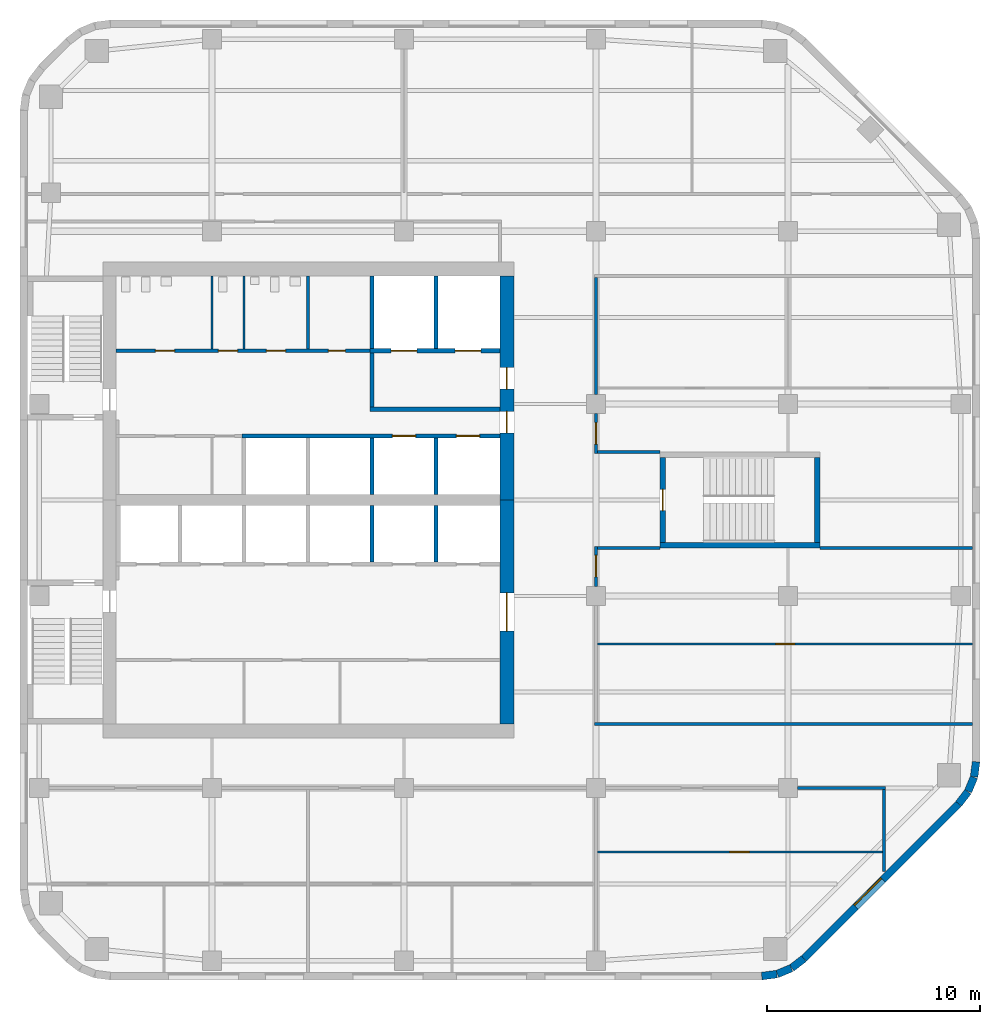
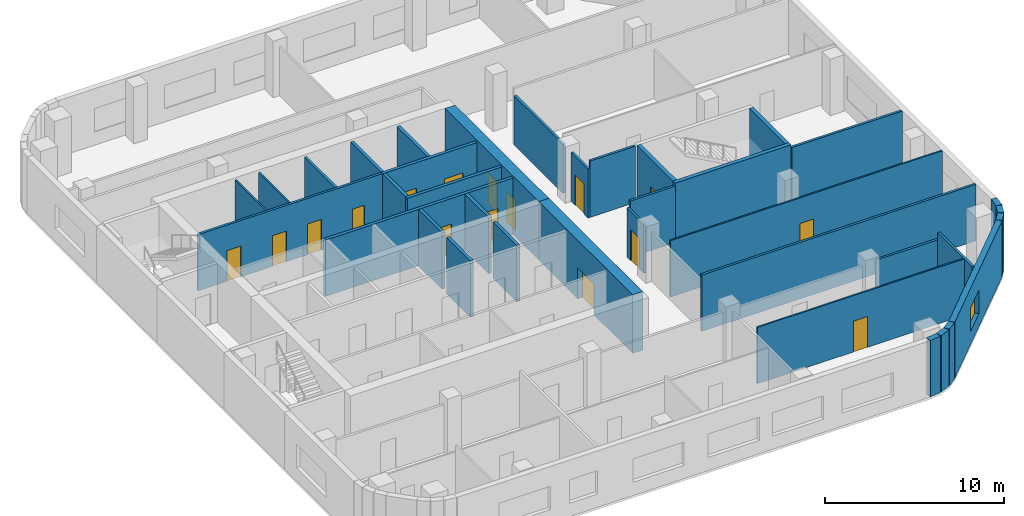
# One storey, part 4 of 8: 37 walls, 16 doors, 1 window, 17 openings.
"""IFC4 building model written with IfcOpenShell, lengths in metres."""

from ifc_helpers import new_model, si_unit, direction, frame, frame_2d, origin, place, context, subcontext, project, spatial, rectangle, extrude, material, layer, layer_set, type_object, element, fill, save


model = new_model("IFC4")

# Units and contexts
model_context = context("Model", 3, precision=1e-05, world=origin(), true_north=direction((0.0, 1.0)))
body_context = subcontext(model_context, "Body", "Model", "MODEL_VIEW")
ifc_project = project(units=[si_unit("LENGTHUNIT", "METRE"), si_unit("AREAUNIT", "SQUARE_METRE"), si_unit("VOLUMEUNIT", "CUBIC_METRE"), si_unit("PLANEANGLEUNIT", "RADIAN"), si_unit("MASSUNIT", "GRAM", prefix="KILO")], contexts=[model_context])

# Site, building, storey
site_placement = place(None, origin())
site = spatial("IfcSite", under=ifc_project, at=site_placement, CompositionType="ELEMENT")
building_placement = place(site_placement, origin())
building = spatial("IfcBuilding", under=site, at=building_placement, Name="Cinnabar Reach Civic Tower", CompositionType="ELEMENT")
storey_placement = place(building_placement, frame((0.0, 0.0, 177.0)))
storey = spatial("IfcBuildingStorey", under=building, at=storey_placement, Name="L42", CompositionType="ELEMENT", Elevation=177.0)

# Walls
ifc_material_1 = material(Name="Facing brick with insulated backing", Category="masonry")
ifc_layer_1 = layer(ifc_material_1, 0.36)
ifc_layer_set_1 = layer_set([ifc_layer_1], Name="Brick corner wall")
wall_type_1 = type_object("IfcWallType", Name="Brick corner wall", PredefinedType="STANDARD", material=ifc_layer_set_1)
for number, where, z_axis, x_axis, name in (
    (1, (34.7686, 9.183, 0.0), (0.0, 0.0, 1.0), (0.99144092581, 0.13055608231, 0.0), "Brick corner wall"),
    (2, (35.4973, 9.2819, 0.0), (0.0, 0.0, 1.0), (0.923871547278, 0.382702709855, 0.0), "Brick corner wall"),
):
    element("IfcWall", number, at=place(storey_placement, frame(where, z_axis=z_axis, x_axis=x_axis)), inside=storey, type_object=wall_type_1, Name=name, PredefinedType="STANDARD", context=body_context, shape_type="SweptSolid", body=[
        extrude(rectangle(XDim=0.7131, YDim=0.36, at=frame_2d((0.3565, 0.0))), origin(), (0.0, 0.0, 1.0), 3.85),
    ])
for number, where, z_axis, x_axis, name in (
    (3, (36.1755, 9.566, 0.0), (0.0, 0.0, 1.0), (0.793321924995, 0.608802368033, 0.0), "Brick corner wall"),
    (4, (43.9998, 17.2587, 0.0), (0.0, 0.0, 1.0), (0.608802368033, 0.793321924995, 0.0), "Brick corner wall"),
):
    element("IfcWall", number, at=place(storey_placement, frame(where, z_axis=z_axis, x_axis=x_axis)), inside=storey, type_object=wall_type_1, Name=name, PredefinedType="STANDARD", context=body_context, shape_type="SweptSolid", body=[
        extrude(rectangle(XDim=0.7132, YDim=0.36, at=frame_2d((0.3566, 0.0))), origin(), (0.0, 0.0, 1.0), 3.85),
    ])
for number, where, z_axis, x_axis, name in (
    (5, (44.4452, 17.8439, 0.0), (0.0, 0.0, 1.0), (0.382702709855, 0.923871547278, 0.0), "Brick corner wall"),
    (6, (44.7239, 18.5244, 0.0), (0.0, 0.0, 1.0), (0.13055608231, 0.99144092581, 0.0), "Brick corner wall"),
):
    element("IfcWall", number, at=place(storey_placement, frame(where, z_axis=z_axis, x_axis=x_axis)), inside=storey, type_object=wall_type_1, Name=name, PredefinedType="STANDARD", context=body_context, shape_type="SweptSolid", body=[
        extrude(rectangle(XDim=0.7131, YDim=0.36, at=frame_2d((0.3565, 0.0))), origin(), (0.0, 0.0, 1.0), 3.85),
    ])

# Wall, opening, window
ifc_layer_2 = layer(ifc_material_1, 0.36)
ifc_layer_set_2 = layer_set([ifc_layer_2], Name="Brick pier and spandrel wall")
wall_type_2 = type_object("IfcWallType", Name="Brick pier and spandrel wall", PredefinedType="STANDARD", material=ifc_layer_set_2)
wall_1_placement = place(storey_placement, frame((36.7514, 10.006, 0.0), z_axis=(0.0, 0.0, 1.0), x_axis=(0.707106781187, 0.707106781187, 0.0)))
wall_1 = element("IfcWall", 7, at=wall_1_placement, inside=storey, type_object=wall_type_2, Name="Brick facade wall", PredefinedType="STANDARD", context=body_context, shape_type="SweptSolid", body=[
    extrude(rectangle(XDim=10.2426, YDim=0.36, at=frame_2d((5.1213, 0.0))), origin(), (0.0, 0.0, 1.0), 3.85),
])
opening_1_placement = place(wall_1_placement, frame((3.4213, 0.0, 0.9)))
opening_1 = element("IfcOpeningElement", 8, at=opening_1_placement, cuts=wall_1, Name="Opening W1867", PredefinedType="OPENING", context=body_context, shape_type="SweptSolid", body=[
    extrude(rectangle(XDim=1.8, YDim=1.6, at=frame_2d((0.9, 0.8))), frame((0.0, 0.19, 0.0), z_axis=(0.0, -1.0, 0.0), x_axis=(1.0, 0.0, 0.0)), (0.0, 0.0, 1.0), 0.38),
])
ifc_material_2 = material(Name="Clear double glazing in aluminium frame", Category="aluminium")
window_type = type_object("IfcWindowType", Name="Deep-set window D", PartitioningType="SINGLE_PANEL", PredefinedType="WINDOW", material=ifc_material_2)
window_placement = place(opening_1_placement, origin())
window = element("IfcWindow", 9, at=window_placement, inside=storey, type_object=window_type, Name="Window southeast face", OverallHeight=1.6, OverallWidth=1.8, PartitioningType="SINGLE_PANEL", PredefinedType="WINDOW", context=body_context, shape_type="SweptSolid", body=[
    extrude(rectangle(XDim=1.8, YDim=1.6, at=frame_2d((0.9, 0.8))), frame((0.0, 0.13, 0.0), z_axis=(0.0, -1.0, 0.0), x_axis=(1.0, 0.0, 0.0)), (0.0, 0.0, 1.0), 0.06),
])
fill(opening_1, window)

# Wall, opening, door
ifc_material_3 = material(Name="Concrete C70", Category="concrete")
ifc_layer_3 = layer(ifc_material_3, 0.65)
ifc_layer_set_3 = layer_set([ifc_layer_3], Name="Core wall 650 EI 180")
wall_type_3 = type_object("IfcWallType", Name="Core wall 650 EI 180", PredefinedType="SOLIDWALL", material=ifc_layer_set_3)
wall_2_placement = place(storey_placement, frame((22.825, 21.0, 0.0), z_axis=(0.0, 0.0, 1.0), x_axis=(0.0, 1.0, 0.0)))
wall_2 = element("IfcWall", 10, at=wall_2_placement, inside=storey, type_object=wall_type_3, Name="Core wall T1 L42 E", PredefinedType="SOLIDWALL", context=body_context, shape_type="SweptSolid", body=[
    extrude(rectangle(XDim=10.5, YDim=0.65, at=frame_2d((5.25, 0.0))), origin(), (0.0, 0.0, 1.0), 4.0),
])
opening_2_placement = place(wall_2_placement, frame((4.35, 0.0, 0.0)))
opening_2 = element("IfcOpeningElement", 11, at=opening_2_placement, cuts=wall_2, Name="Opening D4722", PredefinedType="OPENING", context=body_context, shape_type="SweptSolid", body=[
    extrude(rectangle(XDim=1.8, YDim=2.1, at=frame_2d((0.9, 1.05))), frame((0.0, 0.335, 0.0), z_axis=(0.0, -1.0, 0.0), x_axis=(1.0, 0.0, 0.0)), (0.0, 0.0, 1.0), 0.67),
])
ifc_material_4 = material(Name="Timber door leaf in steel frame", Category="steel")
door_type_1 = type_object("IfcDoorType", Name="Double swing door 1800 x 2100 T1", OperationType="DOUBLE_DOOR_DOUBLE_SWING", PredefinedType="DOOR", material=ifc_material_4)
door_1_placement = place(opening_2_placement, origin())
door_1 = element("IfcDoor", 12, at=door_1_placement, inside=storey, type_object=door_type_1, Name="Door D4722", OperationType="DOUBLE_DOOR_DOUBLE_SWING", OverallHeight=2.1, OverallWidth=1.8, PredefinedType="DOOR", context=body_context, shape_type="SweptSolid", body=[
    extrude(rectangle(XDim=1.8, YDim=2.1, at=frame_2d((0.9, 1.05))), frame((0.0, 0.025, 0.0), z_axis=(0.0, -1.0, 0.0), x_axis=(1.0, 0.0, 0.0)), (0.0, 0.0, 1.0), 0.05),
])
fill(opening_2, door_1)

# Wall, openings, doors
wall_3_placement = place(storey_placement, frame((22.825, 31.5, 0.0), z_axis=(0.0, 0.0, 1.0), x_axis=(0.0, 1.0, 0.0)))
wall_3 = element("IfcWall", 13, at=wall_3_placement, inside=storey, type_object=wall_type_3, Name="Core wall T1 L42 E2", PredefinedType="SOLIDWALL", context=body_context, shape_type="SweptSolid", body=[
    extrude(rectangle(XDim=10.5, YDim=0.65, at=frame_2d((5.25, 0.0))), origin(), (0.0, 0.0, 1.0), 4.0),
])
opening_3_placement = place(wall_3_placement, frame((3.15, 0.0, 0.0)))
opening_3 = element("IfcOpeningElement", 14, at=opening_3_placement, cuts=wall_3, Name="Opening D4723", PredefinedType="OPENING", context=body_context, shape_type="SweptSolid", body=[
    extrude(rectangle(XDim=1.0, YDim=2.1, at=frame_2d((0.5, 1.05))), frame((0.0, 0.335, 0.0), z_axis=(0.0, -1.0, 0.0), x_axis=(1.0, 0.0, 0.0)), (0.0, 0.0, 1.0), 0.67),
])
opening_4_placement = place(wall_3_placement, frame((5.2, 0.0, 0.0)))
opening_4 = element("IfcOpeningElement", 15, at=opening_4_placement, cuts=wall_3, Name="Opening D4724", PredefinedType="OPENING", context=body_context, shape_type="SweptSolid", body=[
    extrude(rectangle(XDim=1.0, YDim=2.1, at=frame_2d((0.5, 1.05))), frame((0.0, 0.335, 0.0), z_axis=(0.0, -1.0, 0.0), x_axis=(1.0, 0.0, 0.0)), (0.0, 0.0, 1.0), 0.67),
])
door_type_2 = type_object("IfcDoorType", Name="Firefighting lobby door 1000 x 2100 T1", OperationType="SINGLE_SWING_LEFT", PredefinedType="DOOR", material=ifc_material_4)
door_2_placement = place(opening_4_placement, origin())
door_2 = element("IfcDoor", 16, at=door_2_placement, inside=storey, type_object=door_type_2, Name="Door D4724", OperationType="SINGLE_SWING_RIGHT", OverallHeight=2.1, OverallWidth=1.0, PredefinedType="DOOR", context=body_context, shape_type="SweptSolid", body=[
    extrude(rectangle(XDim=1.0, YDim=2.1, at=frame_2d((0.5, 1.05))), frame((0.0, 0.025, 0.0), z_axis=(0.0, -1.0, 0.0), x_axis=(1.0, 0.0, 0.0)), (0.0, 0.0, 1.0), 0.05),
])
fill(opening_4, door_2)
door_type_3 = type_object("IfcDoorType", Name="Single swing door 1000 x 2100 T1", OperationType="SINGLE_SWING_LEFT", PredefinedType="DOOR", material=ifc_material_4)
door_3_placement = place(opening_3_placement, origin())
door_3 = element("IfcDoor", 17, at=door_3_placement, inside=storey, type_object=door_type_3, Name="Door D4723", OperationType="SINGLE_SWING_RIGHT", OverallHeight=2.1, OverallWidth=1.0, PredefinedType="DOOR", context=body_context, shape_type="SweptSolid", body=[
    extrude(rectangle(XDim=1.0, YDim=2.1, at=frame_2d((0.5, 1.05))), frame((0.0, 0.025, 0.0), z_axis=(0.0, -1.0, 0.0), x_axis=(1.0, 0.0, 0.0)), (0.0, 0.0, 1.0), 0.05),
])
fill(opening_3, door_3)

# Walls
ifc_material_5 = material(Name="Gypsum board on steel studs, double layer", Category="steel")
ifc_layer_4 = layer(ifc_material_5, 0.15)
ifc_layer_set_4 = layer_set([ifc_layer_4], Name="Corridor wall 150 T1")
wall_type_4 = type_object("IfcWallType", Name="Corridor wall 150 T1", PredefinedType="PARTITIONING", material=ifc_layer_set_4)
wall_4_placement = place(storey_placement, frame((36.45, 18.0, 0.0), z_axis=(0.0, 0.0, 1.0), x_axis=(1.0, 0.0, 0.0)))
element("IfcWall", 18, at=wall_4_placement, inside=storey, type_object=wall_type_4, Name="Corridor wall 24", PredefinedType="PARTITIONING", context=body_context, shape_type="SweptSolid", body=[
    extrude(rectangle(XDim=4.1249, YDim=0.15, at=frame_2d((2.0625, 0.0))), origin(), (0.0, 0.0, 1.0), 3.35),
])
wall_5_placement = place(storey_placement, frame((26.925, 21.0, 0.0), z_axis=(0.0, 0.0, 1.0), x_axis=(1.0, 0.0, 0.0)))
element("IfcWall", 19, at=wall_5_placement, inside=storey, type_object=wall_type_4, Name="Corridor wall 27", PredefinedType="PARTITIONING", context=body_context, shape_type="SweptSolid", body=[
    extrude(rectangle(XDim=17.715, YDim=0.15, at=frame_2d((8.8575, 0.0))), origin(), (0.0, 0.0, 1.0), 3.85),
])

# Wall, openings, doors
wall_6_placement = place(storey_placement, frame((4.5, 38.5, 0.0), z_axis=(0.0, 0.0, 1.0), x_axis=(1.0, 0.0, 0.0)))
wall_6 = element("IfcWall", 20, at=wall_6_placement, inside=storey, type_object=wall_type_4, Name="Corridor wall 29", PredefinedType="PARTITIONING", context=body_context, shape_type="SweptSolid", body=[
    extrude(rectangle(XDim=11.9, YDim=0.15, at=frame_2d((5.95, 0.0))), origin(), (0.0, 0.0, 1.0), 3.85),
])
opening_5_placement = place(wall_6_placement, frame((1.85, 0.0, 0.0)))
opening_5 = element("IfcOpeningElement", 21, at=opening_5_placement, cuts=wall_6, Name="Opening D4731", PredefinedType="OPENING", context=body_context, shape_type="SweptSolid", body=[
    extrude(rectangle(XDim=0.9, YDim=2.1, at=frame_2d((0.45, 1.05))), frame((0.0, 0.085, 0.0), z_axis=(0.0, -1.0, 0.0), x_axis=(1.0, 0.0, 0.0)), (0.0, 0.0, 1.0), 0.17),
])
opening_6_placement = place(wall_6_placement, frame((4.8, 0.0, 0.0)))
opening_6 = element("IfcOpeningElement", 22, at=opening_6_placement, cuts=wall_6, Name="Opening D4732", PredefinedType="OPENING", context=body_context, shape_type="SweptSolid", body=[
    extrude(rectangle(XDim=0.9, YDim=2.1, at=frame_2d((0.45, 1.05))), frame((0.0, 0.085, 0.0), z_axis=(0.0, -1.0, 0.0), x_axis=(1.0, 0.0, 0.0)), (0.0, 0.0, 1.0), 0.17),
])
opening_7_placement = place(wall_6_placement, frame((7.05, 0.0, 0.0)))
opening_7 = element("IfcOpeningElement", 23, at=opening_7_placement, cuts=wall_6, Name="Opening D4733", PredefinedType="OPENING", context=body_context, shape_type="SweptSolid", body=[
    extrude(rectangle(XDim=0.9, YDim=2.1, at=frame_2d((0.45, 1.05))), frame((0.0, 0.085, 0.0), z_axis=(0.0, -1.0, 0.0), x_axis=(1.0, 0.0, 0.0)), (0.0, 0.0, 1.0), 0.17),
])
opening_8_placement = place(wall_6_placement, frame((9.95, 0.0, 0.0)))
opening_8 = element("IfcOpeningElement", 24, at=opening_8_placement, cuts=wall_6, Name="Opening D4734", PredefinedType="OPENING", context=body_context, shape_type="SweptSolid", body=[
    extrude(rectangle(XDim=0.8, YDim=2.1, at=frame_2d((0.4, 1.05))), frame((0.0, 0.085, 0.0), z_axis=(0.0, -1.0, 0.0), x_axis=(1.0, 0.0, 0.0)), (0.0, 0.0, 1.0), 0.17),
])
door_type_4 = type_object("IfcDoorType", Name="Riser access door 800 x 2100 T1", OperationType="SINGLE_SWING_LEFT", PredefinedType="DOOR", material=ifc_material_4)
door_4_placement = place(opening_8_placement, origin())
door_4 = element("IfcDoor", 25, at=door_4_placement, inside=storey, type_object=door_type_4, Name="Door D4734", OperationType="SINGLE_SWING_RIGHT", OverallHeight=2.1, OverallWidth=0.8, PredefinedType="DOOR", context=body_context, shape_type="SweptSolid", body=[
    extrude(rectangle(XDim=0.8, YDim=2.1, at=frame_2d((0.4, 1.05))), frame((0.0, 0.025, 0.0), z_axis=(0.0, -1.0, 0.0), x_axis=(1.0, 0.0, 0.0)), (0.0, 0.0, 1.0), 0.05),
])
fill(opening_8, door_4)
door_type_5 = type_object("IfcDoorType", Name="Single swing door 900 x 2100 corridor T1", OperationType="SINGLE_SWING_LEFT", PredefinedType="DOOR", material=ifc_material_4)
door_5_placement = place(opening_5_placement, origin())
door_5 = element("IfcDoor", 26, at=door_5_placement, inside=storey, type_object=door_type_5, Name="Door D4731", OperationType="SINGLE_SWING_RIGHT", OverallHeight=2.1, OverallWidth=0.9, PredefinedType="DOOR", context=body_context, shape_type="SweptSolid", body=[
    extrude(rectangle(XDim=0.9, YDim=2.1, at=frame_2d((0.45, 1.05))), frame((0.0, 0.025, 0.0), z_axis=(0.0, -1.0, 0.0), x_axis=(1.0, 0.0, 0.0)), (0.0, 0.0, 1.0), 0.05),
])
fill(opening_5, door_5)
door_6_placement = place(opening_6_placement, origin())
door_6 = element("IfcDoor", 27, at=door_6_placement, inside=storey, type_object=door_type_5, Name="Door D4732", OperationType="SINGLE_SWING_LEFT", OverallHeight=2.1, OverallWidth=0.9, PredefinedType="DOOR", context=body_context, shape_type="SweptSolid", body=[
    extrude(rectangle(XDim=0.9, YDim=2.1, at=frame_2d((0.45, 1.05))), frame((0.0, 0.025, 0.0), z_axis=(0.0, -1.0, 0.0), x_axis=(1.0, 0.0, 0.0)), (0.0, 0.0, 1.0), 0.05),
])
fill(opening_6, door_6)
door_7_placement = place(opening_7_placement, origin())
door_7 = element("IfcDoor", 28, at=door_7_placement, inside=storey, type_object=door_type_5, Name="Door D4733", OperationType="SINGLE_SWING_RIGHT", OverallHeight=2.1, OverallWidth=0.9, PredefinedType="DOOR", context=body_context, shape_type="SweptSolid", body=[
    extrude(rectangle(XDim=0.9, YDim=2.1, at=frame_2d((0.45, 1.05))), frame((0.0, 0.025, 0.0), z_axis=(0.0, -1.0, 0.0), x_axis=(1.0, 0.0, 0.0)), (0.0, 0.0, 1.0), 0.05),
])
fill(opening_7, door_7)

# Wall, opening, door
wall_7_placement = place(storey_placement, frame((27.0, 27.45, 0.0), z_axis=(0.0, 0.0, 1.0), x_axis=(0.0, 1.0, 0.0)))
wall_7 = element("IfcWall", 29, at=wall_7_placement, inside=storey, type_object=wall_type_4, Name="Corridor wall 31", PredefinedType="PARTITIONING", context=body_context, shape_type="SweptSolid", body=[
    extrude(rectangle(XDim=1.875, YDim=0.15, at=frame_2d((0.9375, 0.0))), origin(), (0.0, 0.0, 1.0), 3.362),
])
opening_9_placement = place(wall_7_placement, frame((0.45, 0.0, 0.0)))
opening_9 = element("IfcOpeningElement", 30, at=opening_9_placement, cuts=wall_7, Name="Opening D4738", PredefinedType="OPENING", context=body_context, shape_type="SweptSolid", body=[
    extrude(rectangle(XDim=1.0, YDim=2.1, at=frame_2d((0.5, 1.05))), frame((0.0, 0.085, 0.0), z_axis=(0.0, -1.0, 0.0), x_axis=(1.0, 0.0, 0.0)), (0.0, 0.0, 1.0), 0.17),
])
door_type_6 = type_object("IfcDoorType", Name="Tenancy entrance door 1000 x 2100 T1", OperationType="SINGLE_SWING_LEFT", PredefinedType="DOOR", material=ifc_material_4)
door_8_placement = place(opening_9_placement, frame((1.0, 0.0, 0.0), z_axis=(0.0, 0.0, 1.0), x_axis=(-1.0, 0.0, 0.0)))
door_8 = element("IfcDoor", 31, at=door_8_placement, inside=storey, type_object=door_type_6, Name="Door D4738", OperationType="SINGLE_SWING_LEFT", OverallHeight=2.1, OverallWidth=1.0, PredefinedType="DOOR", context=body_context, shape_type="SweptSolid", body=[
    extrude(rectangle(XDim=1.0, YDim=2.1, at=frame_2d((0.5, 1.05))), frame((0.0, 0.025, 0.0), z_axis=(0.0, -1.0, 0.0), x_axis=(1.0, 0.0, 0.0)), (0.0, 0.0, 1.0), 0.05),
])
fill(opening_9, door_8)

wall_8_placement = place(storey_placement, frame((27.0, 33.675, 0.0), z_axis=(0.0, 0.0, 1.0), x_axis=(0.0, 1.0, 0.0)))
wall_8 = element("IfcWall", 32, at=wall_8_placement, inside=storey, type_object=wall_type_4, Name="Corridor wall 32", PredefinedType="PARTITIONING", context=body_context, shape_type="SweptSolid", body=[
    extrude(rectangle(XDim=1.875, YDim=0.15, at=frame_2d((0.9375, 0.0))), origin(), (0.0, 0.0, 1.0), 3.362),
])
opening_10_placement = place(wall_8_placement, frame((0.45, 0.0, 0.0)))
opening_10 = element("IfcOpeningElement", 33, at=opening_10_placement, cuts=wall_8, Name="Opening D4735", PredefinedType="OPENING", context=body_context, shape_type="SweptSolid", body=[
    extrude(rectangle(XDim=1.0, YDim=2.1, at=frame_2d((0.5, 1.05))), frame((0.0, 0.085, 0.0), z_axis=(0.0, -1.0, 0.0), x_axis=(1.0, 0.0, 0.0)), (0.0, 0.0, 1.0), 0.17),
])
door_9_placement = place(opening_10_placement, frame((1.0, 0.0, 0.0), z_axis=(0.0, 0.0, 1.0), x_axis=(-1.0, 0.0, 0.0)))
door_9 = element("IfcDoor", 34, at=door_9_placement, inside=storey, type_object=door_type_6, Name="Door D4735", OperationType="SINGLE_SWING_RIGHT", OverallHeight=2.1, OverallWidth=1.0, PredefinedType="DOOR", context=body_context, shape_type="SweptSolid", body=[
    extrude(rectangle(XDim=1.0, YDim=2.1, at=frame_2d((0.5, 1.05))), frame((0.0, 0.025, 0.0), z_axis=(0.0, -1.0, 0.0), x_axis=(1.0, 0.0, 0.0)), (0.0, 0.0, 1.0), 0.05),
])
fill(opening_10, door_9)

# Walls
wall_9_placement = place(storey_placement, frame((27.0, 36.45, 0.0), z_axis=(0.0, 0.0, 1.0), x_axis=(0.0, 1.0, 0.0)))
element("IfcWall", 35, at=wall_9_placement, inside=storey, type_object=wall_type_4, Name="Corridor wall 33", PredefinedType="PARTITIONING", context=body_context, shape_type="SweptSolid", body=[
    extrude(rectangle(XDim=5.475, YDim=0.15, at=frame_2d((2.7375, 0.0))), origin(), (0.0, 0.0, 1.0), 3.362),
])
wall_10_placement = place(storey_placement, frame((40.5, 14.084, 0.0), z_axis=(0.0, 0.0, 1.0), x_axis=(0.0, 1.0, 0.0)))
element("IfcWall", 36, at=wall_10_placement, inside=storey, type_object=wall_type_4, Name="Corridor wall 35", PredefinedType="PARTITIONING", context=body_context, shape_type="SweptSolid", body=[
    extrude(rectangle(XDim=3.841, YDim=0.15, at=frame_2d((1.9205, 0.0))), origin(), (0.0, 0.0, 1.0), 3.85),
])
for number, where, z_axis, x_axis, name in (
    (37, (27.075, 29.25, 0.0), (0.0, 0.0, 1.0), (1.0, 0.0, 0.0), "Corridor wall 38"),
    (38, (27.075, 33.75, 0.0), (0.0, 0.0, 1.0), (1.0, 0.0, 0.0), "Corridor wall 39"),
):
    element("IfcWall", number, at=place(storey_placement, frame(where, z_axis=z_axis, x_axis=x_axis)), inside=storey, type_object=wall_type_4, Name=name, PredefinedType="PARTITIONING", context=body_context, shape_type="SweptSolid", body=[
        extrude(rectangle(XDim=2.925, YDim=0.15, at=frame_2d((1.4625, 0.0))), origin(), (0.0, 0.0, 1.0), 3.85),
    ])

# Wall, openings, doors
ifc_material_6 = material(Name="Blockwork", Category="masonry")
ifc_layer_5 = layer(ifc_material_6, 0.2)
ifc_layer_set_5 = layer_set([ifc_layer_5], Name="Lift shaft wall 200 T1")
wall_type_5 = type_object("IfcWallType", Name="Lift shaft wall 200 T1", PredefinedType="PARTITIONING", material=ifc_layer_set_5)
wall_11_placement = place(storey_placement, frame((10.4, 34.5, 0.0), z_axis=(0.0, 0.0, 1.0), x_axis=(1.0, 0.0, 0.0)))
wall_11 = element("IfcWall", 39, at=wall_11_placement, inside=storey, type_object=wall_type_5, Name="Lift shaft wall 5", PredefinedType="PARTITIONING", context=body_context, shape_type="SweptSolid", body=[
    extrude(rectangle(XDim=12.1, YDim=0.2, at=frame_2d((6.05, 0.0))), origin(), (0.0, 0.0, 1.0), 3.85),
])
opening_11_placement = place(wall_11_placement, frame((7.05, 0.0, 0.0)))
opening_11 = element("IfcOpeningElement", 40, at=opening_11_placement, cuts=wall_11, Name="Opening D4718", PredefinedType="OPENING", context=body_context, shape_type="SweptSolid", body=[
    extrude(rectangle(XDim=1.1, YDim=2.1, at=frame_2d((0.55, 1.05))), frame((0.0, 0.11, 0.0), z_axis=(0.0, -1.0, 0.0), x_axis=(1.0, 0.0, 0.0)), (0.0, 0.0, 1.0), 0.22),
])
opening_12_placement = place(wall_11_placement, frame((10.05, 0.0, 0.0)))
opening_12 = element("IfcOpeningElement", 41, at=opening_12_placement, cuts=wall_11, Name="Opening D4719", PredefinedType="OPENING", context=body_context, shape_type="SweptSolid", body=[
    extrude(rectangle(XDim=1.1, YDim=2.1, at=frame_2d((0.55, 1.05))), frame((0.0, 0.11, 0.0), z_axis=(0.0, -1.0, 0.0), x_axis=(1.0, 0.0, 0.0)), (0.0, 0.0, 1.0), 0.22),
])
ifc_material_7 = material(Name="Stainless steel sliding door", Category="steel")
door_type_7 = type_object("IfcDoorType", Name="Lift landing door 1100 x 2100 T1", OperationType="SLIDING_TO_LEFT", PredefinedType="DOOR", material=ifc_material_7)
door_10_placement = place(opening_11_placement, origin())
door_10 = element("IfcDoor", 42, at=door_10_placement, inside=storey, type_object=door_type_7, Name="Lift landing door SV1 L42", OperationType="SLIDING_TO_LEFT", OverallHeight=2.1, OverallWidth=1.1, PredefinedType="DOOR", context=body_context, shape_type="SweptSolid", body=[
    extrude(rectangle(XDim=1.1, YDim=2.1, at=frame_2d((0.55, 1.05))), frame((0.0, 0.025, 0.0), z_axis=(0.0, -1.0, 0.0), x_axis=(1.0, 0.0, 0.0)), (0.0, 0.0, 1.0), 0.05),
])
fill(opening_11, door_10)
door_11_placement = place(opening_12_placement, origin())
door_11 = element("IfcDoor", 43, at=door_11_placement, inside=storey, type_object=door_type_7, Name="Lift landing door SV2 L42", OperationType="SLIDING_TO_LEFT", OverallHeight=2.1, OverallWidth=1.1, PredefinedType="DOOR", context=body_context, shape_type="SweptSolid", body=[
    extrude(rectangle(XDim=1.1, YDim=2.1, at=frame_2d((0.55, 1.05))), frame((0.0, 0.025, 0.0), z_axis=(0.0, -1.0, 0.0), x_axis=(1.0, 0.0, 0.0)), (0.0, 0.0, 1.0), 0.05),
])
fill(opening_12, door_11)

# Walls
for number, where, z_axis, x_axis, name in (
    (44, (16.5, 28.6, 0.0), (0.0, 0.0, 1.0), (0.0, 1.0, 0.0), "Lift shaft wall 10"),
    (45, (16.5, 31.75, 0.0), (0.0, 0.0, 1.0), (0.0, 1.0, 0.0), "Lift shaft wall 11"),
    (46, (19.5, 28.6, 0.0), (0.0, 0.0, 1.0), (0.0, 1.0, 0.0), "Lift shaft wall 12"),
    (47, (19.5, 31.75, 0.0), (0.0, 0.0, 1.0), (0.0, 1.0, 0.0), "Lift shaft wall 13"),
):
    element("IfcWall", number, at=place(storey_placement, frame(where, z_axis=z_axis, x_axis=x_axis)), inside=storey, type_object=wall_type_5, Name=name, PredefinedType="PARTITIONING", context=body_context, shape_type="SweptSolid", body=[
        extrude(rectangle(XDim=2.65, YDim=0.2, at=frame_2d((1.325, 0.0))), origin(), (0.0, 0.0, 1.0), 3.85),
    ])
for number, where, z_axis, x_axis, name in (
    (48, (16.5, 38.6, 0.0), (0.0, 0.0, 1.0), (0.0, 1.0, 0.0), "Lift shaft wall 14"),
    (49, (19.5, 38.6, 0.0), (0.0, 0.0, 1.0), (0.0, 1.0, 0.0), "Lift shaft wall 15"),
):
    element("IfcWall", number, at=place(storey_placement, frame(where, z_axis=z_axis, x_axis=x_axis)), inside=storey, type_object=wall_type_5, Name=name, PredefinedType="PARTITIONING", context=body_context, shape_type="SweptSolid", body=[
        extrude(rectangle(XDim=3.4, YDim=0.2, at=frame_2d((1.7, 0.0))), origin(), (0.0, 0.0, 1.0), 3.85),
    ])

# Wall, opening, door
ifc_material_8 = material(Name="Gypsum board on steel studs", Category="steel")
ifc_layer_6 = layer(ifc_material_8, 0.1)
ifc_layer_set_6 = layer_set([ifc_layer_6], Name="Partition wall 100 T1")
wall_type_6 = type_object("IfcWallType", Name="Partition wall 100 T1", PredefinedType="PARTITIONING", material=ifc_layer_set_6)
wall_12_placement = place(storey_placement, frame((27.075, 24.75, 0.0), z_axis=(0.0, 0.0, 1.0), x_axis=(1.0, 0.0, 0.0)))
wall_12 = element("IfcWall", 50, at=wall_12_placement, inside=storey, type_object=wall_type_6, Name="Partition wall 48", PredefinedType="PARTITIONING", context=body_context, shape_type="SweptSolid", body=[
    extrude(rectangle(XDim=17.565, YDim=0.1, at=frame_2d((8.7825, 0.0))), origin(), (0.0, 0.0, 1.0), 3.85),
])
opening_13_placement = place(wall_12_placement, frame((8.35, 0.0, 0.0)))
opening_13 = element("IfcOpeningElement", 51, at=opening_13_placement, cuts=wall_12, Name="Opening D4739", PredefinedType="OPENING", context=body_context, shape_type="SweptSolid", body=[
    extrude(rectangle(XDim=0.9, YDim=2.1, at=frame_2d((0.45, 1.05))), frame((0.0, 0.06, 0.0), z_axis=(0.0, -1.0, 0.0), x_axis=(1.0, 0.0, 0.0)), (0.0, 0.0, 1.0), 0.12),
])
door_type_8 = type_object("IfcDoorType", Name="Single swing door 900 x 2100 T1", OperationType="SINGLE_SWING_LEFT", PredefinedType="DOOR", material=ifc_material_4)
door_12_placement = place(opening_13_placement, frame((0.9, 0.0, 0.0), z_axis=(0.0, 0.0, 1.0), x_axis=(-1.0, 0.0, 0.0)))
door_12 = element("IfcDoor", 52, at=door_12_placement, inside=storey, type_object=door_type_8, Name="Door D4739", OperationType="SINGLE_SWING_RIGHT", OverallHeight=2.1, OverallWidth=0.9, PredefinedType="DOOR", context=body_context, shape_type="SweptSolid", body=[
    extrude(rectangle(XDim=0.9, YDim=2.1, at=frame_2d((0.45, 1.05))), frame((0.0, 0.025, 0.0), z_axis=(0.0, -1.0, 0.0), x_axis=(1.0, 0.0, 0.0)), (0.0, 0.0, 1.0), 0.05),
])
fill(opening_13, door_12)

wall_13_placement = place(storey_placement, frame((27.075, 15.0, 0.0), z_axis=(0.0, 0.0, 1.0), x_axis=(1.0, 0.0, 0.0)))
wall_13 = element("IfcWall", 53, at=wall_13_placement, inside=storey, type_object=wall_type_6, Name="Partition wall 50", PredefinedType="PARTITIONING", context=body_context, shape_type="SweptSolid", body=[
    extrude(rectangle(XDim=13.35, YDim=0.1, at=frame_2d((6.675, 0.0))), origin(), (0.0, 0.0, 1.0), 3.85),
])
opening_14_placement = place(wall_13_placement, frame((6.2, 0.0, 0.0)))
opening_14 = element("IfcOpeningElement", 54, at=opening_14_placement, cuts=wall_13, Name="Opening D4747", PredefinedType="OPENING", context=body_context, shape_type="SweptSolid", body=[
    extrude(rectangle(XDim=0.9, YDim=2.1, at=frame_2d((0.45, 1.05))), frame((0.0, 0.06, 0.0), z_axis=(0.0, -1.0, 0.0), x_axis=(1.0, 0.0, 0.0)), (0.0, 0.0, 1.0), 0.12),
])
door_13_placement = place(opening_14_placement, origin())
door_13 = element("IfcDoor", 55, at=door_13_placement, inside=storey, type_object=door_type_8, Name="Door D4747", OperationType="SINGLE_SWING_RIGHT", OverallHeight=2.1, OverallWidth=0.9, PredefinedType="DOOR", context=body_context, shape_type="SweptSolid", body=[
    extrude(rectangle(XDim=0.9, YDim=2.1, at=frame_2d((0.45, 1.05))), frame((0.0, 0.025, 0.0), z_axis=(0.0, -1.0, 0.0), x_axis=(1.0, 0.0, 0.0)), (0.0, 0.0, 1.0), 0.05),
])
fill(opening_14, door_13)

# Walls
for number, where, z_axis, x_axis, name in (
    (56, (9.0, 38.575, 0.0), (0.0, 0.0, 1.0), (0.0, 1.0, 0.0), "Partition wall 56"),
    (57, (10.5, 38.575, 0.0), (0.0, 0.0, 1.0), (0.0, 1.0, 0.0), "Partition wall 57"),
):
    element("IfcWall", number, at=place(storey_placement, frame(where, z_axis=z_axis, x_axis=x_axis)), inside=storey, type_object=wall_type_6, Name=name, PredefinedType="PARTITIONING", context=body_context, shape_type="SweptSolid", body=[
        extrude(rectangle(XDim=3.425, YDim=0.1, at=frame_2d((1.7125, 0.0))), origin(), (0.0, 0.0, 1.0), 3.85),
    ])
ifc_material_9 = material(Name="Concrete C40", Category="concrete")
ifc_layer_7 = layer(ifc_material_9, 0.2)
ifc_layer_set_7 = layer_set([ifc_layer_7], Name="Refuge compartment wall 200 T1")
wall_type_7 = type_object("IfcWallType", Name="Refuge compartment wall 200 T1", PredefinedType="PARTITIONING", material=ifc_layer_set_7)
wall_14_placement = place(storey_placement, frame((16.4, 35.75, 0.0), z_axis=(0.0, 0.0, 1.0), x_axis=(1.0, 0.0, 0.0)))
element("IfcWall", 58, at=wall_14_placement, inside=storey, type_object=wall_type_7, Name="Refuge compartment wall 1", PredefinedType="PARTITIONING", context=body_context, shape_type="SweptSolid", body=[
    extrude(rectangle(XDim=6.1, YDim=0.2, at=frame_2d((3.05, 0.0))), origin(), (0.0, 0.0, 1.0), 3.85),
])

# Wall, openings, doors
wall_15_placement = place(storey_placement, frame((16.4, 38.5, 0.0), z_axis=(0.0, 0.0, 1.0), x_axis=(1.0, 0.0, 0.0)))
wall_15 = element("IfcWall", 59, at=wall_15_placement, inside=storey, type_object=wall_type_7, Name="Refuge compartment wall 2", PredefinedType="PARTITIONING", context=body_context, shape_type="SweptSolid", body=[
    extrude(rectangle(XDim=6.1, YDim=0.2, at=frame_2d((3.05, 0.0))), origin(), (0.0, 0.0, 1.0), 3.85),
])
opening_15_placement = place(wall_15_placement, frame((1.0, 0.0, 0.0)))
opening_15 = element("IfcOpeningElement", 60, at=opening_15_placement, cuts=wall_15, Name="Opening D4720", PredefinedType="OPENING", context=body_context, shape_type="SweptSolid", body=[
    extrude(rectangle(XDim=1.2, YDim=2.1, at=frame_2d((0.6, 1.05))), frame((0.0, 0.11, 0.0), z_axis=(0.0, -1.0, 0.0), x_axis=(1.0, 0.0, 0.0)), (0.0, 0.0, 1.0), 0.22),
])
opening_16_placement = place(wall_15_placement, frame((4.0, 0.0, 0.0)))
opening_16 = element("IfcOpeningElement", 61, at=opening_16_placement, cuts=wall_15, Name="Opening D4721", PredefinedType="OPENING", context=body_context, shape_type="SweptSolid", body=[
    extrude(rectangle(XDim=1.2, YDim=2.1, at=frame_2d((0.6, 1.05))), frame((0.0, 0.11, 0.0), z_axis=(0.0, -1.0, 0.0), x_axis=(1.0, 0.0, 0.0)), (0.0, 0.0, 1.0), 0.22),
])
door_type_9 = type_object("IfcDoorType", Name="Firefighting lift landing door 1200 x 2100 T1", OperationType="SLIDING_TO_LEFT", PredefinedType="DOOR", material=ifc_material_7)
door_14_placement = place(opening_15_placement, origin())
door_14 = element("IfcDoor", 62, at=door_14_placement, inside=storey, type_object=door_type_9, Name="Lift landing door FF1 L42", OperationType="SLIDING_TO_LEFT", OverallHeight=2.1, OverallWidth=1.2, PredefinedType="DOOR", context=body_context, shape_type="SweptSolid", body=[
    extrude(rectangle(XDim=1.2, YDim=2.1, at=frame_2d((0.6, 1.05))), frame((0.0, 0.025, 0.0), z_axis=(0.0, -1.0, 0.0), x_axis=(1.0, 0.0, 0.0)), (0.0, 0.0, 1.0), 0.05),
])
fill(opening_15, door_14)
door_15_placement = place(opening_16_placement, origin())
door_15 = element("IfcDoor", 63, at=door_15_placement, inside=storey, type_object=door_type_9, Name="Lift landing door FF2 L42", OperationType="SLIDING_TO_LEFT", OverallHeight=2.1, OverallWidth=1.2, PredefinedType="DOOR", context=body_context, shape_type="SweptSolid", body=[
    extrude(rectangle(XDim=1.2, YDim=2.1, at=frame_2d((0.6, 1.05))), frame((0.0, 0.025, 0.0), z_axis=(0.0, -1.0, 0.0), x_axis=(1.0, 0.0, 0.0)), (0.0, 0.0, 1.0), 0.05),
])
fill(opening_16, door_15)

# Walls
wall_16_placement = place(storey_placement, frame((16.5, 35.85, 0.0), z_axis=(0.0, 0.0, 1.0), x_axis=(0.0, 1.0, 0.0)))
element("IfcWall", 64, at=wall_16_placement, inside=storey, type_object=wall_type_7, Name="Refuge compartment wall 3", PredefinedType="PARTITIONING", context=body_context, shape_type="SweptSolid", body=[
    extrude(rectangle(XDim=2.55, YDim=0.2, at=frame_2d((1.275, 0.0))), origin(), (0.0, 0.0, 1.0), 3.85),
])
ifc_layer_8 = layer(ifc_material_6, 0.15)
ifc_layer_set_8 = layer_set([ifc_layer_8], Name="Riser wall 150 T1")
wall_type_8 = type_object("IfcWallType", Name="Riser wall 150 T1", PredefinedType="PARTITIONING", material=ifc_layer_set_8)
wall_17_placement = place(storey_placement, frame((13.5, 38.575, 0.0), z_axis=(0.0, 0.0, 1.0), x_axis=(0.0, 1.0, 0.0)))
element("IfcWall", 65, at=wall_17_placement, inside=storey, type_object=wall_type_8, Name="Riser wall 42", PredefinedType="PARTITIONING", context=body_context, shape_type="SweptSolid", body=[
    extrude(rectangle(XDim=3.425, YDim=0.15, at=frame_2d((1.7125, 0.0))), origin(), (0.0, 0.0, 1.0), 3.85),
])
ifc_material_10 = material(Name="Concrete C60", Category="concrete")
ifc_layer_9 = layer(ifc_material_10, 0.25)
ifc_layer_set_9 = layer_set([ifc_layer_9], Name="Stair shaft wall 250 EI 120")
wall_type_9 = type_object("IfcWallType", Name="Stair shaft wall 250 EI 120", PredefinedType="SOLIDWALL", material=ifc_layer_set_9)
wall_18_placement = place(storey_placement, frame((30.0, 29.375, 0.0), z_axis=(0.0, 0.0, 1.0), x_axis=(1.0, 0.0, 0.0)))
element("IfcWall", 66, at=wall_18_placement, inside=storey, type_object=wall_type_9, Name="Stair shaft wall T1-S3 L42", PredefinedType="SOLIDWALL", context=body_context, shape_type="SweptSolid", body=[
    extrude(rectangle(XDim=7.5, YDim=0.25, at=frame_2d((3.75, 0.0))), origin(), (0.0, 0.0, 1.0), 4.0),
])
wall_19_placement = place(storey_placement, frame((37.375, 29.5, 0.0), z_axis=(0.0, 0.0, 1.0), x_axis=(0.0, 1.0, 0.0)))
element("IfcWall", 67, at=wall_19_placement, inside=storey, type_object=wall_type_9, Name="Stair shaft wall T1-S3 L42", PredefinedType="SOLIDWALL", context=body_context, shape_type="SweptSolid", body=[
    extrude(rectangle(XDim=4.0, YDim=0.25, at=frame_2d((2.0, 0.0))), origin(), (0.0, 0.0, 1.0), 4.0),
])

# Wall, opening, door
wall_20_placement = place(storey_placement, frame((30.125, 33.5, 0.0), z_axis=(0.0, 0.0, 1.0), x_axis=(0.0, -1.0, 0.0)))
wall_20 = element("IfcWall", 68, at=wall_20_placement, inside=storey, type_object=wall_type_9, Name="Stair shaft wall T1-S3 L42", PredefinedType="SOLIDWALL", context=body_context, shape_type="SweptSolid", body=[
    extrude(rectangle(XDim=4.0, YDim=0.25, at=frame_2d((2.0, 0.0))), origin(), (0.0, 0.0, 1.0), 4.0),
])
opening_17_placement = place(wall_20_placement, frame((1.5, 0.0, 0.0)))
opening_17 = element("IfcOpeningElement", 69, at=opening_17_placement, cuts=wall_20, Name="Opening D4725", PredefinedType="OPENING", context=body_context, shape_type="SweptSolid", body=[
    extrude(rectangle(XDim=1.0, YDim=2.1, at=frame_2d((0.5, 1.05))), frame((0.0, 0.135, 0.0), z_axis=(0.0, -1.0, 0.0), x_axis=(1.0, 0.0, 0.0)), (0.0, 0.0, 1.0), 0.27),
])
door_type_10 = type_object("IfcDoorType", Name="Stair door 1000 x 2100 T1", OperationType="SINGLE_SWING_LEFT", PredefinedType="DOOR", material=ifc_material_4)
door_16_placement = place(opening_17_placement, origin())
door_16 = element("IfcDoor", 70, at=door_16_placement, inside=storey, type_object=door_type_10, Name="Door D4725", OperationType="SINGLE_SWING_RIGHT", OverallHeight=2.1, OverallWidth=1.0, PredefinedType="DOOR", context=body_context, shape_type="SweptSolid", body=[
    extrude(rectangle(XDim=1.0, YDim=2.1, at=frame_2d((0.5, 1.05))), frame((0.0, 0.025, 0.0), z_axis=(0.0, -1.0, 0.0), x_axis=(1.0, 0.0, 0.0)), (0.0, 0.0, 1.0), 0.05),
])
fill(opening_17, door_16)

# Wall
ifc_layer_10 = layer(ifc_material_5, 0.15)
ifc_layer_set_10 = layer_set([ifc_layer_10], Name="Tenancy separating wall 150 T1")
wall_type_10 = type_object("IfcWallType", Name="Tenancy separating wall 150 T1", PredefinedType="PARTITIONING", material=ifc_layer_set_10)
wall_21_placement = place(storey_placement, frame((37.5, 29.25, 0.0), z_axis=(0.0, 0.0, 1.0), x_axis=(1.0, 0.0, 0.0)))
element("IfcWall", 71, at=wall_21_placement, inside=storey, type_object=wall_type_10, Name="Tenancy separating wall 45", PredefinedType="PARTITIONING", context=body_context, shape_type="SweptSolid", body=[
    extrude(rectangle(XDim=7.14, YDim=0.15, at=frame_2d((3.57, 0.0))), origin(), (0.0, 0.0, 1.0), 3.85),
])

save(model, "model.ifc")
